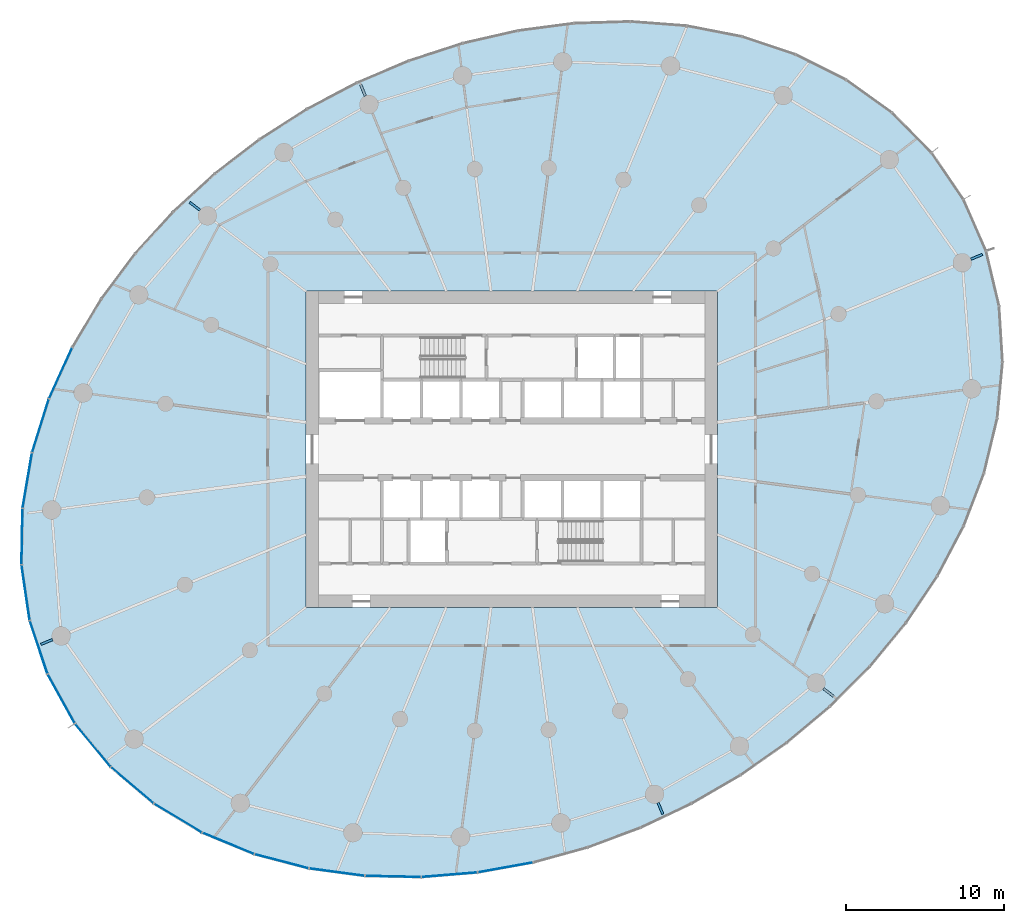
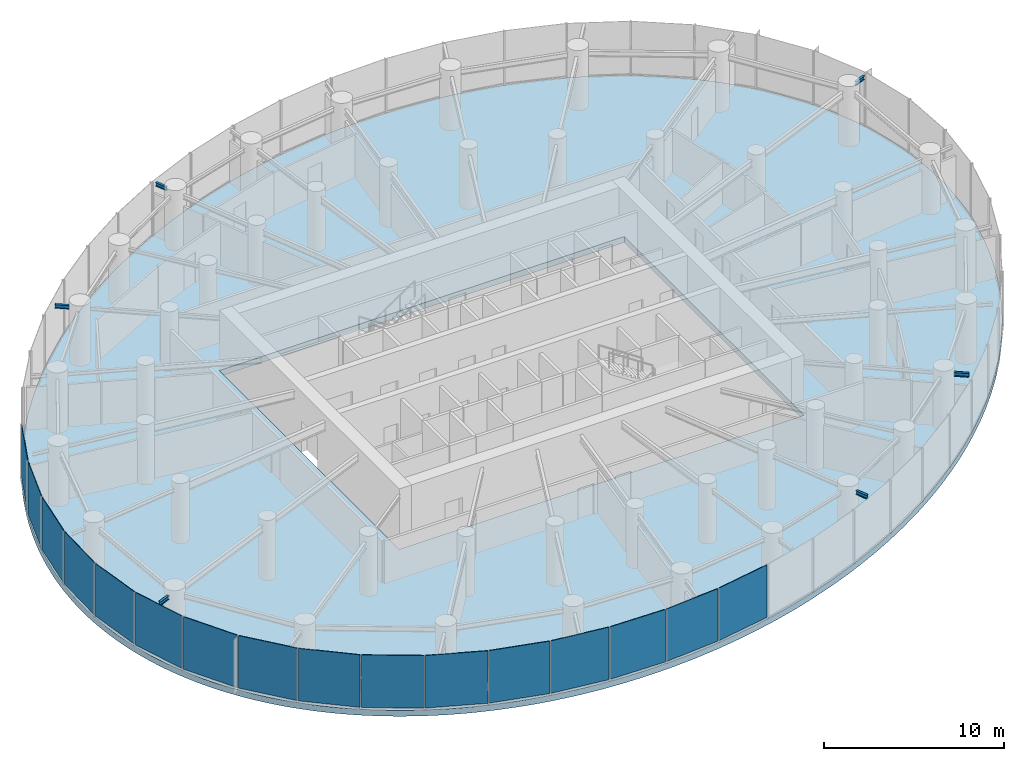
# One storey, part 9 of 18: 16 plates, 6 beams, 1 slab, 3 elements without a shape of their own.
"""IFC4 building model written with IfcOpenShell, lengths in metres."""

from ifc_helpers import new_model, si_unit, direction, frame, origin, origin_2d, place, context, subcontext, project, spatial, line, indexed_curve, rectangle, i_section, outline, extrude, source, transform, mapped, material, layer, layer_set, material_profile, profile_set, type_object, element, aggregate, save


model = new_model("IFC4")

# Units and contexts
model_context = context("Model", 3, precision=1e-05, world=origin(), true_north=direction((0.0, 1.0)))
body_context = subcontext(model_context, "Body", "Model", "MODEL_VIEW")
ifc_project = project(units=[si_unit("LENGTHUNIT", "METRE"), si_unit("AREAUNIT", "SQUARE_METRE"), si_unit("VOLUMEUNIT", "CUBIC_METRE"), si_unit("PLANEANGLEUNIT", "RADIAN"), si_unit("MASSUNIT", "GRAM", prefix="KILO")], contexts=[model_context])

# Site, building, storey
site_placement = place(None, origin())
site = spatial("IfcSite", under=ifc_project, at=site_placement, CompositionType="ELEMENT")
building_placement = place(site_placement, origin())
building = spatial("IfcBuilding", under=site, at=building_placement, Name="Spindrift Exchange Tower", CompositionType="ELEMENT")
storey_placement = place(building_placement, frame((0.0, 0.0, 116.699951171875)))
storey = spatial("IfcBuildingStorey", under=building, at=storey_placement, Name="L27", CompositionType="ELEMENT", Elevation=116.699951171875)

# Beams
ifc_material_1 = material(Name="Steel Grade 300", Category="steel")
ifc_material_profile = material_profile(ifc_material_1, i_section(OverallWidth=0.14599609375, OverallDepth=0.251953125, WebThickness=0.006103515625, FlangeThickness=0.008544921875, FilletRadius=0.011962890625, at=origin_2d()), Name="250UB31.4")
ifc_profile_set = profile_set([ifc_material_profile], Name="Steel Grade 300")
beam_type = type_object("IfcBeamType", Name="Cantilever Beam 250UB31.4 Steel Grade 300", PredefinedType="BEAM", material=ifc_profile_set)
shared_shape_1 = source(origin(), body_context, "Body", "SweptSolid", [
    extrude(i_section(OverallWidth=0.14599609375, OverallDepth=0.251953125, WebThickness=0.006103515625, FlangeThickness=0.008544921875, FilletRadius=0.011962890625, at=origin_2d()), origin(), (0.0, 0.0, 1.0), 0.796630859375),
])
for number, where, z_axis, x_axis, name in (
    (1, (80.9912109375, 60.008544921875, 3.573974609375), (0.923863702706, 0.38272164666, 0.0), (-0.38272164666, 0.923863702706, 0.0), "L27 cantilever beam R02T"),
    (2, (23.0087890625, 35.991455078125, 3.573974609375), (-0.923863702706, -0.38272164666, 0.0), (0.38272164666, -0.923863702706, 0.0), "L27 cantilever beam R14T"),
):
    element("IfcBeam", number, at=place(storey_placement, frame(where, z_axis=z_axis, x_axis=x_axis)), inside=storey, type_object=beam_type, Name=name, PredefinedType="BEAM", context=body_context, shape_type="MappedRepresentation", body=[
        mapped(shared_shape_1, transform((0.0, 0.0, 0.0), scale=1.0)),
    ])
shared_shape_2 = source(origin(), body_context, "Body", "SweptSolid", [
    extrude(i_section(OverallWidth=0.14599609375, OverallDepth=0.251953125, WebThickness=0.006103515625, FlangeThickness=0.008544921875, FilletRadius=0.011962890625, at=origin_2d()), origin(), (0.0, 0.0, 1.0), 0.776611328125),
])
for number, where, z_axis, x_axis, name in (
    (3, (42.75634765625, 70.31640625, 3.573974609375), (-0.382851470417, 0.923809910966, 0.0), (-0.923809910966, -0.382851470417, 0.0), "L27 cantilever beam R08T"),
    (4, (61.24365234375, 25.68359375, 3.573974609375), (0.382851470417, -0.923809910966, 0.0), (0.923809910966, 0.382851470417, 0.0), "L27 cantilever beam R20T"),
):
    element("IfcBeam", number, at=place(storey_placement, frame(where, z_axis=z_axis, x_axis=x_axis)), inside=storey, type_object=beam_type, Name=name, PredefinedType="BEAM", context=body_context, shape_type="MappedRepresentation", body=[
        mapped(shared_shape_2, transform((0.0, 0.0, 0.0), scale=1.0)),
    ])
shared_shape_3 = source(origin(), body_context, "Body", "SweptSolid", [
    extrude(i_section(OverallWidth=0.14599609375, OverallDepth=0.251953125, WebThickness=0.006103515625, FlangeThickness=0.008544921875, FilletRadius=0.011962890625, at=origin_2d()), origin(), (0.0, 0.0, 1.0), 0.82421875),
])
for number, where, z_axis, x_axis, name in (
    (5, (32.320068359375, 63.10107421875, 3.573974609375), (-0.793449024936, 0.608636710057, 0.0), (-0.608636710057, -0.793449024936, 0.0), "L27 cantilever beam R10T"),
    (6, (71.679931640625, 32.89892578125, 3.573974609375), (0.793449024936, -0.608636710057, 0.0), (0.608636710057, 0.793449024936, 0.0), "L27 cantilever beam R22T"),
):
    element("IfcBeam", number, at=place(storey_placement, frame(where, z_axis=z_axis, x_axis=x_axis)), inside=storey, type_object=beam_type, Name=name, PredefinedType="BEAM", context=body_context, shape_type="MappedRepresentation", body=[
        mapped(shared_shape_3, transform((0.0, 0.0, 0.0), scale=1.0)),
    ])

# Slab
ifc_material_2 = material(Name="Concrete 50 MPa", Category="concrete")
ifc_layer_1 = layer(ifc_material_2, 0.39990234375)
ifc_layer_set_1 = layer_set([ifc_layer_1], Name="RC Floor Slab 400 Concrete 50 MPa")
slab_type = type_object("IfcSlabType", Name="RC Floor Slab 400 Concrete 50 MPa", PredefinedType="FLOOR", material=ifc_layer_set_1)
slab_placement = place(storey_placement, frame((0.0, 0.0, -0.39990234375)))
element("IfcSlab", 7, at=slab_placement, inside=storey, type_object=slab_type, Name="Floor slab L27", PredefinedType="FLOOR", context=body_context, shape_type="SweptSolid", body=[
    extrude(outline(indexed_curve([(80.518798828125, 63.7880859375), (80.268310546875, 64.22705078125), (80.00634765625, 64.659423828125), (79.733154296875, 65.084716796875), (79.448974609375, 65.50244140625), (79.154052734375, 65.912841796875), (78.848388671875, 66.315673828125), (78.53271484375, 66.710205078125), (78.206787109375, 67.096435546875), (77.871337890625, 67.474609375), (77.526123046875, 67.84375), (77.172119140625, 68.204345703125), (76.808837890625, 68.555908203125), (76.437255859375, 68.898193359375), (76.05712890625, 69.2314453125), (75.669189453125, 69.555419921875), (75.273681640625, 69.8701171875), (74.87060546875, 70.175048828125), (74.460693359375, 70.470458984375), (74.043701171875, 70.75634765625), (73.62060546875, 71.03271484375), (73.191162109375, 71.29931640625), (72.756103515625, 71.556396484375), (72.315185546875, 71.8037109375), (71.869140625, 72.041259765625), (71.418212890625, 72.269287109375), (70.96240234375, 72.48779296875), (70.502197265625, 72.69677734375), (70.03759765625, 72.896240234375), (69.5693359375, 73.086181640625), (69.097412109375, 73.2666015625), (68.14306640625, 73.60009765625), (67.6611328125, 73.752685546875), (66.689453125, 74.031005859375), (65.708251953125, 74.273681640625), (65.214599609375, 74.381591796875), (64.718994140625, 74.48095703125), (63.722900390625, 74.654052734375), (63.222900390625, 74.727783203125), (62.2197265625, 74.8505859375), (61.716552734375, 74.899658203125), (60.70849609375, 74.9736328125), (60.20361328125, 74.998779296875), (59.193359375, 75.02587890625), (58.68798828125, 75.028076171875), (57.67724609375, 75.009765625), (57.172119140625, 74.989501953125), (56.163330078125, 74.92724609375), (55.65966796875, 74.88525390625), (54.654296875, 74.780517578125), (53.652099609375, 74.648193359375), (53.15234375, 74.57177734375), (52.156494140625, 74.399169921875), (51.660400390625, 74.302978515625), (51.165283203125, 74.2001953125), (50.1796875, 73.975830078125), (49.689208984375, 73.85400390625), (48.712890625, 73.592041015625), (47.74365234375, 73.305419921875), (47.26171875, 73.153076171875), (46.78173828125, 72.994873046875), (45.82763671875, 72.66064453125), (44.882080078125, 72.302978515625), (44.412841796875, 72.11572265625), (43.945556640625, 71.9228515625), (43.0185546875, 71.52001953125), (42.101318359375, 71.094970703125), (41.646728515625, 70.874267578125), (40.745361328125, 70.41650390625), (39.855224609375, 69.9375), (39.41455078125, 69.690185546875), (38.5419921875, 69.1796875), (37.68212890625, 68.6484375), (36.835205078125, 68.0966796875), (36.00146484375, 67.52490234375), (35.590087890625, 67.2314453125), (35.18212890625, 66.93310546875), (34.377197265625, 66.321533203125), (33.587646484375, 65.6904296875), (33.198486328125, 65.36767578125), (32.432861328125, 64.707763671875), (32.056396484375, 64.37060546875), (31.683837890625, 64.029052734375), (30.952392578125, 63.331298828125), (30.59326171875, 62.9755859375), (29.88916015625, 62.25048828125), (29.544189453125, 61.881103515625), (28.869140625, 61.128662109375), (28.539306640625, 60.74560546875), (27.895263671875, 59.966552734375), (27.581298828125, 59.570556640625), (26.9697265625, 58.765625), (26.672607421875, 58.356689453125), (26.09619140625, 57.5263671875), (25.544189453125, 56.6796875), (25.277587890625, 56.250244140625), (24.764404296875, 55.37939453125), (24.517578125, 54.938232421875), (24.04541015625, 54.044677734375), (23.81982421875, 53.59228515625), (23.601806640625, 53.13623046875), (23.1884765625, 52.2138671875), (22.993408203125, 51.74755859375), (22.62744140625, 50.805419921875), (22.294921875, 49.850830078125), (22.1416015625, 49.369140625), (21.86181640625, 48.39794921875), (21.7353515625, 47.908447265625), (21.51123046875, 46.9228515625), (21.325927734375, 45.92919921875), (21.24853515625, 45.4296875), (21.181396484375, 44.9287109375), (21.12451171875, 44.426513671875), (21.078369140625, 43.92333984375), (21.04296875, 43.419189453125), (21.0185546875, 42.914306640625), (21.00537109375, 42.408935546875), (21.00341796875, 41.903564453125), (21.012939453125, 41.398193359375), (21.033935546875, 40.893310546875), (21.066650390625, 40.388916015625), (21.111328125, 39.885498046875), (21.16796875, 39.38330078125), (21.236572265625, 38.882568359375), (21.317138671875, 38.383544921875), (21.41015625, 37.88671875), (21.51513671875, 37.392333984375), (21.6328125, 36.90087890625), (21.762451171875, 36.412353515625), (21.904541015625, 35.927490234375), (22.05908203125, 35.446044921875), (22.225830078125, 34.968994140625), (22.40478515625, 34.496337890625), (22.59619140625, 34.028564453125), (22.799560546875, 33.56591796875), (23.014892578125, 33.108642578125), (23.2421875, 32.656982421875), (23.481201171875, 32.2119140625), (23.731689453125, 31.77294921875), (23.99365234375, 31.340576171875), (24.266845703125, 30.915283203125), (24.551025390625, 30.49755859375), (24.845947265625, 30.087158203125), (25.151611328125, 29.684326171875), (25.46728515625, 29.289794921875), (25.793212890625, 28.903564453125), (26.128662109375, 28.525390625), (26.473876953125, 28.15625), (26.827880859375, 27.795654296875), (27.191162109375, 27.444091796875), (27.562744140625, 27.101806640625), (27.94287109375, 26.7685546875), (28.330810546875, 26.444580078125), (28.726318359375, 26.1298828125), (29.12939453125, 25.824951171875), (29.539306640625, 25.529541015625), (29.956298828125, 25.24365234375), (30.37939453125, 24.96728515625), (30.808837890625, 24.70068359375), (31.243896484375, 24.443603515625), (31.684814453125, 24.1962890625), (32.130859375, 23.958740234375), (32.581787109375, 23.730712890625), (33.03759765625, 23.51220703125), (33.497802734375, 23.30322265625), (33.96240234375, 23.103759765625), (34.4306640625, 22.913818359375), (34.902587890625, 22.7333984375), (35.85693359375, 22.39990234375), (36.3388671875, 22.247314453125), (37.310546875, 21.968994140625), (38.291748046875, 21.726318359375), (38.785400390625, 21.618408203125), (39.281005859375, 21.51904296875), (40.277099609375, 21.345947265625), (40.777099609375, 21.272216796875), (41.7802734375, 21.1494140625), (42.283447265625, 21.100341796875), (43.29150390625, 21.0263671875), (43.79638671875, 21.001220703125), (44.806640625, 20.97412109375), (45.31201171875, 20.971923828125), (46.32275390625, 20.990234375), (46.827880859375, 21.010498046875), (47.836669921875, 21.07275390625), (48.34033203125, 21.11474609375), (49.345703125, 21.219482421875), (49.847412109375, 21.2822265625), (50.84765625, 21.42822265625), (51.843505859375, 21.600830078125), (52.339599609375, 21.697021484375), (52.834716796875, 21.7998046875), (53.8203125, 22.024169921875), (54.310791015625, 22.14599609375), (55.287109375, 22.407958984375), (56.25634765625, 22.694580078125), (56.73828125, 22.846923828125), (57.21826171875, 23.005126953125), (58.17236328125, 23.33935546875), (59.117919921875, 23.697021484375), (59.587158203125, 23.88427734375), (60.054443359375, 24.0771484375), (60.9814453125, 24.47998046875), (61.898681640625, 24.905029296875), (62.353271484375, 25.125732421875), (63.254638671875, 25.58349609375), (64.144775390625, 26.0625), (64.58544921875, 26.309814453125), (65.4580078125, 26.8203125), (66.31787109375, 27.3515625), (67.164794921875, 27.9033203125), (67.99853515625, 28.47509765625), (68.409912109375, 28.7685546875), (68.81787109375, 29.06689453125), (69.622802734375, 29.678466796875), (70.412353515625, 30.3095703125), (70.801513671875, 30.63232421875), (71.567138671875, 31.292236328125), (71.943603515625, 31.62939453125), (72.316162109375, 31.970947265625), (73.047607421875, 32.668701171875), (73.40673828125, 33.0244140625), (74.11083984375, 33.74951171875), (74.455810546875, 34.118896484375), (75.130859375, 34.871337890625), (75.460693359375, 35.25439453125), (76.104736328125, 36.033447265625), (76.418701171875, 36.429443359375), (77.0302734375, 37.234375), (77.327392578125, 37.643310546875), (77.90380859375, 38.4736328125), (78.455810546875, 39.3203125), (78.722412109375, 39.749755859375), (79.235595703125, 40.62060546875), (79.482421875, 41.061767578125), (79.95458984375, 41.955322265625), (80.18017578125, 42.40771484375), (80.398193359375, 42.86376953125), (80.8115234375, 43.7861328125), (81.006591796875, 44.25244140625), (81.37255859375, 45.194580078125), (81.705078125, 46.149169921875), (81.8583984375, 46.630859375), (82.13818359375, 47.60205078125), (82.2646484375, 48.091552734375), (82.48876953125, 49.0771484375), (82.674072265625, 50.07080078125), (82.75146484375, 50.5703125), (82.818603515625, 51.0712890625), (82.87548828125, 51.573486328125), (82.921630859375, 52.07666015625), (82.95703125, 52.580810546875), (82.9814453125, 53.085693359375), (82.99462890625, 53.591064453125), (82.99658203125, 54.096435546875), (82.987060546875, 54.601806640625), (82.966064453125, 55.106689453125), (82.933349609375, 55.611083984375), (82.888671875, 56.114501953125), (82.83203125, 56.61669921875), (82.763427734375, 57.117431640625), (82.682861328125, 57.616455078125), (82.58984375, 58.11328125), (82.48486328125, 58.607666015625), (82.3671875, 59.09912109375), (82.237548828125, 59.587646484375), (82.095458984375, 60.072509765625), (81.94091796875, 60.553955078125), (81.774169921875, 61.031005859375), (81.59521484375, 61.503662109375), (81.40380859375, 61.971435546875), (81.200439453125, 62.43408203125), (80.985107421875, 62.891357421875), (80.7578125, 63.343017578125)], segments=[line(1, 2, 3, 4, 5, 6, 7, 8, 9, 10, 11, 12, 13, 14, 15, 16, 17, 18, 19, 20, 21, 22, 23, 24, 25, 26, 27, 28, 29, 30, 31, 32, 33, 34, 35, 36, 37, 38, 39, 40, 41, 42, 43, 44, 45, 46, 47, 48, 49, 50, 51, 52, 53, 54, 55, 56, 57, 58, 59, 60, 61, 62, 63, 64, 65, 66, 67, 68, 69, 70, 71, 72, 73, 74, 75, 76, 77, 78, 79, 80, 81, 82, 83, 84, 85, 86, 87, 88, 89, 90, 91, 92, 93, 94, 95, 96, 97, 98, 99, 100, 101, 102, 103, 104, 105, 106, 107, 108, 109, 110, 111, 112, 113, 114, 115, 116, 117, 118, 119, 120, 121, 122, 123, 124, 125, 126, 127, 128, 129, 130, 131, 132, 133, 134, 135, 136, 137, 138, 139, 140, 141, 142, 143, 144, 145, 146, 147, 148, 149, 150, 151, 152, 153, 154, 155, 156, 157, 158, 159, 160, 161, 162, 163, 164, 165, 166, 167, 168, 169, 170, 171, 172, 173, 174, 175, 176, 177, 178, 179, 180, 181, 182, 183, 184, 185, 186, 187, 188, 189, 190, 191, 192, 193, 194, 195, 196, 197, 198, 199, 200, 201, 202, 203, 204, 205, 206, 207, 208, 209, 210, 211, 212, 213, 214, 215, 216, 217, 218, 219, 220, 221, 222, 223, 224, 225, 226, 227, 228, 229, 230, 231, 232, 233, 234, 235, 236, 237, 238, 239, 240, 241, 242, 243, 244, 245, 246, 247, 248, 249, 250, 251, 252, 253, 254, 255, 256, 257, 258, 259, 260, 261, 262, 263, 264, 265, 266, 267, 268, 269, 270, 271, 272, 273, 274, 1)], self_intersect=False), holes=[indexed_curve([(39.0, 38.0), (65.0, 38.0), (65.0, 58.0), (39.0, 58.0)], segments=[line(1, 2, 3, 4, 1)], self_intersect=False)]), origin(), (0.0, 0.0, 1.0), 0.39990234375),
])

# Curtain wall, plates
ifc_material_3 = material(Name="Fritted laminated glass with bronze frame", Category="glass")
ifc_layer_2 = layer(ifc_material_3, 0.18994140625)
ifc_layer_set_2 = layer_set([ifc_layer_2], Name="ZONE 2 BRONZE FRITTED WALL")
curtain_wall_type = type_object("IfcCurtainWallType", Name="ZONE 2 BRONZE FRITTED WALL", PredefinedType="NOTDEFINED", material=ifc_layer_set_2)
curtain_wall_1_placement = place(storey_placement, origin())
curtain_wall_1 = element("IfcCurtainWall", 8, at=curtain_wall_1_placement, inside=storey, type_object=curtain_wall_type, Name="L27 Zone 2 Bronze Fritted Wall run 6", PredefinedType="NOTDEFINED")
ifc_material_4 = material(Name="Bronze fritted laminated glass, close frit", Category="glass")
ifc_layer_3 = layer(ifc_material_4, 0.033935546875)
ifc_layer_set_3 = layer_set([ifc_layer_3], Name="ZONE 2 BRONZE FRITTED WALL PANEL CLOSE FRIT 300")
plate_type_1 = type_object("IfcPlateType", Name="ZONE 2 BRONZE FRITTED WALL PANEL CLOSE FRIT 300", PredefinedType="CURTAIN_PANEL", material=ifc_layer_set_3)
shared_shape_4 = source(origin(), body_context, "Body", "SweptSolid", [
    extrude(rectangle(XDim=3.491455078125, YDim=0.033935546875, at=origin_2d()), origin(), (0.0, 0.0, 1.0), 3.56005859375),
])
plate_1_placement = place(storey_placement, frame((51.602294921875, 21.598876953125, 0.14013671875), z_axis=(0.0, 0.0, 1.0), x_axis=(0.984112979105, 0.177543359093, 0.0)))
plate_1 = element("IfcPlate", 9, at=plate_1_placement, type_object=plate_type_1, Name="L27 panel CW-2.35", PredefinedType="CURTAIN_PANEL", context=body_context, shape_type="MappedRepresentation", body=[
    mapped(shared_shape_4, transform((0.0, 0.0, 0.0), scale=1.0)),
])
shared_shape_5 = source(origin(), body_context, "Body", "SweptSolid", [
    extrude(rectangle(XDim=3.4912109375, YDim=0.033935546875, at=origin_2d()), origin(), (0.0, 0.0, 1.0), 3.56005859375),
])
plate_2_placement = place(storey_placement, frame((48.0703125, 21.1357421875, 0.14013671875), z_axis=(0.0, 0.0, 1.0), x_axis=(0.996621494041, 0.082131587194, 0.0)))
plate_2 = element("IfcPlate", 10, at=plate_2_placement, type_object=plate_type_1, Name="L27 panel CW-2.34", PredefinedType="CURTAIN_PANEL", context=body_context, shape_type="MappedRepresentation", body=[
    mapped(shared_shape_5, transform((0.0, 0.0, 0.0), scale=1.0)),
])

# Curtain wall, plate
curtain_wall_2_placement = place(storey_placement, origin())
curtain_wall_2 = element("IfcCurtainWall", 11, at=curtain_wall_2_placement, inside=storey, type_object=curtain_wall_type, Name="L27 Zone 2 Bronze Fritted Wall run 4", PredefinedType="NOTDEFINED")
ifc_layer_4 = layer(ifc_material_4, 0.033935546875)
ifc_layer_set_4 = layer_set([ifc_layer_4], Name="ZONE 2 BRONZE FRITTED WALL PANEL CLOSE FRIT 420")
plate_type_2 = type_object("IfcPlateType", Name="ZONE 2 BRONZE FRITTED WALL PANEL CLOSE FRIT 420", PredefinedType="CURTAIN_PANEL", material=ifc_layer_set_4)
shared_shape_6 = source(origin(), body_context, "Body", "SweptSolid", [
    extrude(rectangle(XDim=3.49072265625, YDim=0.033935546875, at=origin_2d()), origin(), (0.0, 0.0, 1.0), 3.56005859375),
])
plate_3_placement = place(storey_placement, frame((23.51220703125, 52.81787109375, 0.14013671875), z_axis=(0.0, 0.0, 1.0), x_axis=(-0.413940302554, -0.910304029389, 0.0)))
plate_3 = element("IfcPlate", 12, at=plate_3_placement, type_object=plate_type_2, Name="L27 panel CW-2.20", PredefinedType="CURTAIN_PANEL", context=body_context, shape_type="MappedRepresentation", body=[
    mapped(shared_shape_6, transform((0.0, 0.0, 0.0), scale=1.0)),
])

# Curtain wall, plates
curtain_wall_3_placement = place(storey_placement, origin())
curtain_wall_3 = element("IfcCurtainWall", 13, at=curtain_wall_3_placement, inside=storey, type_object=curtain_wall_type, Name="L27 Zone 2 Bronze Fritted Wall run 5", PredefinedType="NOTDEFINED")
shared_shape_7 = source(origin(), body_context, "Body", "SweptSolid", [
    extrude(rectangle(XDim=3.48974609375, YDim=0.033935546875, at=origin_2d()), origin(), (0.0, 0.0, 1.0), 3.56005859375),
])
plate_4_placement = place(storey_placement, frame((34.096435546875, 23.116943359375, 0.14013671875), z_axis=(0.0, 0.0, 1.0), x_axis=(0.924433592632, -0.381343064463, 0.0)))
plate_4 = element("IfcPlate", 14, at=plate_4_placement, type_object=plate_type_2, Name="L27 panel CW-2.30", PredefinedType="CURTAIN_PANEL", context=body_context, shape_type="MappedRepresentation", body=[
    mapped(shared_shape_7, transform((0.0, 0.0, 0.0), scale=1.0)),
])
shared_shape_8 = source(origin(), body_context, "Body", "SweptSolid", [
    extrude(rectangle(XDim=3.489013671875, YDim=0.033935546875, at=origin_2d()), origin(), (0.0, 0.0, 1.0), 3.56005859375),
])
plate_5_placement = place(storey_placement, frame((30.92138671875, 24.714599609375, 0.14013671875), z_axis=(0.0, 0.0, 1.0), x_axis=(0.857106168716, -0.515139801946, 0.0)))
plate_5 = element("IfcPlate", 15, at=plate_5_placement, type_object=plate_type_1, Name="L27 panel CW-2.29", PredefinedType="CURTAIN_PANEL", context=body_context, shape_type="MappedRepresentation", body=[
    mapped(shared_shape_8, transform((0.0, 0.0, 0.0), scale=1.0)),
])

# Plate
shared_shape_9 = source(origin(), body_context, "Body", "SweptSolid", [
    extrude(rectangle(XDim=3.48828125, YDim=0.033935546875, at=origin_2d()), origin(), (0.0, 0.0, 1.0), 3.56005859375),
])
plate_6_placement = place(storey_placement, frame((21.30322265625, 38.952392578125, 0.14013671875), z_axis=(0.0, 0.0, 1.0), x_axis=(0.145340546938, -0.989381688438, 0.0)))
plate_6 = element("IfcPlate", 16, at=plate_6_placement, type_object=plate_type_1, Name="L27 panel CW-2.24", PredefinedType="CURTAIN_PANEL", context=body_context, shape_type="MappedRepresentation", body=[
    mapped(shared_shape_9, transform((0.0, 0.0, 0.0), scale=1.0)),
])

shared_shape_10 = source(origin(), body_context, "Body", "SweptSolid", [
    extrude(rectangle(XDim=3.48779296875, YDim=0.033935546875, at=origin_2d()), origin(), (0.0, 0.0, 1.0), 3.56005859375),
])
plate_7_placement = place(storey_placement, frame((25.548583984375, 29.318115234375, 0.14013671875), z_axis=(0.0, 0.0, 1.0), x_axis=(0.635758988737, -0.771887626692, 0.0)))
plate_7 = element("IfcPlate", 17, at=plate_7_placement, type_object=plate_type_1, Name="L27 panel CW-2.27", PredefinedType="CURTAIN_PANEL", context=body_context, shape_type="MappedRepresentation", body=[
    mapped(shared_shape_10, transform((0.0, 0.0, 0.0), scale=1.0)),
])

ifc_layer_5 = layer(ifc_material_4, 0.033935546875)
ifc_layer_set_5 = layer_set([ifc_layer_5], Name="ZONE 2 BRONZE FRITTED WALL PANEL CLOSE FRIT 540")
plate_type_3 = type_object("IfcPlateType", Name="ZONE 2 BRONZE FRITTED WALL PANEL CLOSE FRIT 540", PredefinedType="CURTAIN_PANEL", material=ifc_layer_set_5)
shared_shape_11 = source(origin(), body_context, "Body", "SweptSolid", [
    extrude(rectangle(XDim=3.49072265625, YDim=0.033935546875, at=origin_2d()), origin(), (0.0, 0.0, 1.0), 3.56005859375),
])
plate_8_placement = place(storey_placement, frame((40.960693359375, 21.2998046875, 0.14013671875), z_axis=(0.0, 0.0, 1.0), x_axis=(0.991196370883, -0.13239997866, 0.0)))
plate_8 = element("IfcPlate", 18, at=plate_8_placement, type_object=plate_type_3, Name="L27 panel CW-2.32", PredefinedType="CURTAIN_PANEL", context=body_context, shape_type="MappedRepresentation", body=[
    mapped(shared_shape_11, transform((0.0, 0.0, 0.0), scale=1.0)),
])

shared_shape_12 = source(origin(), body_context, "Body", "SweptSolid", [
    extrude(rectangle(XDim=3.4912109375, YDim=0.033935546875, at=origin_2d()), origin(), (0.0, 0.0, 1.0), 3.56005859375),
])
plate_9_placement = place(storey_placement, frame((44.510498046875, 21.026611328125, 0.14013671875), z_axis=(0.0, 0.0, 1.0), x_axis=(0.999781742185, -0.020891816409, 0.0)))
plate_9 = element("IfcPlate", 19, at=plate_9_placement, type_object=plate_type_2, Name="L27 panel CW-2.33", PredefinedType="CURTAIN_PANEL", context=body_context, shape_type="MappedRepresentation", body=[
    mapped(shared_shape_12, transform((0.0, 0.0, 0.0), scale=1.0)),
])

shared_shape_13 = source(origin(), body_context, "Body", "SweptSolid", [
    extrude(rectangle(XDim=3.489013671875, YDim=0.033935546875, at=origin_2d()), origin(), (0.0, 0.0, 1.0), 3.56005859375),
])
plate_10_placement = place(storey_placement, frame((21.076904296875, 42.496826171875, 0.14013671875), z_axis=(0.0, 0.0, 1.0), x_axis=(-0.018405203001, -0.999830609905, 0.0)))
plate_10 = element("IfcPlate", 20, at=plate_10_placement, type_object=plate_type_3, Name="L27 panel CW-2.23", PredefinedType="CURTAIN_PANEL", context=body_context, shape_type="MappedRepresentation", body=[
    mapped(shared_shape_13, transform((0.0, 0.0, 0.0), scale=1.0)),
])

shared_shape_14 = source(origin(), body_context, "Body", "SweptSolid", [
    extrude(rectangle(XDim=3.490234375, YDim=0.033935546875, at=origin_2d()), origin(), (0.0, 0.0, 1.0), 3.56005859375),
])
plate_11_placement = place(storey_placement, frame((22.240478515625, 49.493896484375, 0.14013671875), z_axis=(0.0, 0.0, 1.0), x_axis=(-0.299332234426, -0.954148947195, 0.0)))
plate_11 = element("IfcPlate", 21, at=plate_11_placement, type_object=plate_type_2, Name="L27 panel CW-2.21", PredefinedType="CURTAIN_PANEL", context=body_context, shape_type="MappedRepresentation", body=[
    mapped(shared_shape_14, transform((0.0, 0.0, 0.0), scale=1.0)),
])

plate_12_placement = place(storey_placement, frame((37.46875, 21.986572265625, 0.14013671875), z_axis=(0.0, 0.0, 1.0), x_axis=(0.967510455954, -0.25283100605, 0.0)))
plate_12 = element("IfcPlate", 22, at=plate_12_placement, type_object=plate_type_2, Name="L27 panel CW-2.31", PredefinedType="CURTAIN_PANEL", context=body_context, shape_type="MappedRepresentation", body=[
    mapped(shared_shape_14, transform((0.0, 0.0, 0.0), scale=1.0)),
])

aggregate(curtain_wall_1, [plate_12, plate_8, plate_9, plate_2, plate_1])

shared_shape_15 = source(origin(), body_context, "Body", "SweptSolid", [
    extrude(rectangle(XDim=3.48974609375, YDim=0.033935546875, at=origin_2d()), origin(), (0.0, 0.0, 1.0), 3.56005859375),
])
plate_13_placement = place(storey_placement, frame((21.408447265625, 46.035888671875, 0.14013671875), z_axis=(0.0, 0.0, 1.0), x_axis=(-0.167532770717, -0.985866507564, 0.0)))
plate_13 = element("IfcPlate", 23, at=plate_13_placement, type_object=plate_type_1, Name="L27 panel CW-2.22", PredefinedType="CURTAIN_PANEL", context=body_context, shape_type="MappedRepresentation", body=[
    mapped(shared_shape_15, transform((0.0, 0.0, 0.0), scale=1.0)),
])

aggregate(curtain_wall_2, [plate_3, plate_11, plate_13, plate_10, plate_6])

shared_shape_16 = source(origin(), body_context, "Body", "SweptSolid", [
    extrude(rectangle(XDim=3.48828125, YDim=0.033935546875, at=origin_2d()), origin(), (0.0, 0.0, 1.0), 3.56005859375),
])
plate_14_placement = place(storey_placement, frame((28.037353515625, 26.787841796875, 0.14013671875), z_axis=(0.0, 0.0, 1.0), x_axis=(0.761324472593, -0.648371072328, 0.0)))
plate_14 = element("IfcPlate", 24, at=plate_14_placement, type_object=plate_type_2, Name="L27 panel CW-2.28", PredefinedType="CURTAIN_PANEL", context=body_context, shape_type="MappedRepresentation", body=[
    mapped(shared_shape_16, transform((0.0, 0.0, 0.0), scale=1.0)),
])

shared_shape_17 = source(origin(), body_context, "Body", "SweptSolid", [
    extrude(rectangle(XDim=3.488037109375, YDim=0.033935546875, at=origin_2d()), origin(), (0.0, 0.0, 1.0), 3.56005859375),
])
plate_15_placement = place(storey_placement, frame((22.126220703125, 35.5, 0.14013671875), z_axis=(0.0, 0.0, 1.0), x_axis=(0.316673979095, -0.948534443742, 0.0)))
plate_15 = element("IfcPlate", 25, at=plate_15_placement, type_object=plate_type_2, Name="L27 panel CW-2.25", PredefinedType="CURTAIN_PANEL", context=body_context, shape_type="MappedRepresentation", body=[
    mapped(shared_shape_17, transform((0.0, 0.0, 0.0), scale=1.0)),
])

shared_shape_18 = source(origin(), body_context, "Body", "SweptSolid", [
    extrude(rectangle(XDim=3.487548828125, YDim=0.033935546875, at=origin_2d()), origin(), (0.0, 0.0, 1.0), 3.56005859375),
])
plate_16_placement = place(storey_placement, frame((23.55322265625, 32.251708984375, 0.14013671875), z_axis=(0.0, 0.0, 1.0), x_axis=(0.48433175363, -0.874884422324, 0.0)))
plate_16 = element("IfcPlate", 26, at=plate_16_placement, type_object=plate_type_3, Name="L27 panel CW-2.26", PredefinedType="CURTAIN_PANEL", context=body_context, shape_type="MappedRepresentation", body=[
    mapped(shared_shape_18, transform((0.0, 0.0, 0.0), scale=1.0)),
])

aggregate(curtain_wall_3, [plate_15, plate_16, plate_7, plate_14, plate_5, plate_4])

save(model, "model.ifc")
